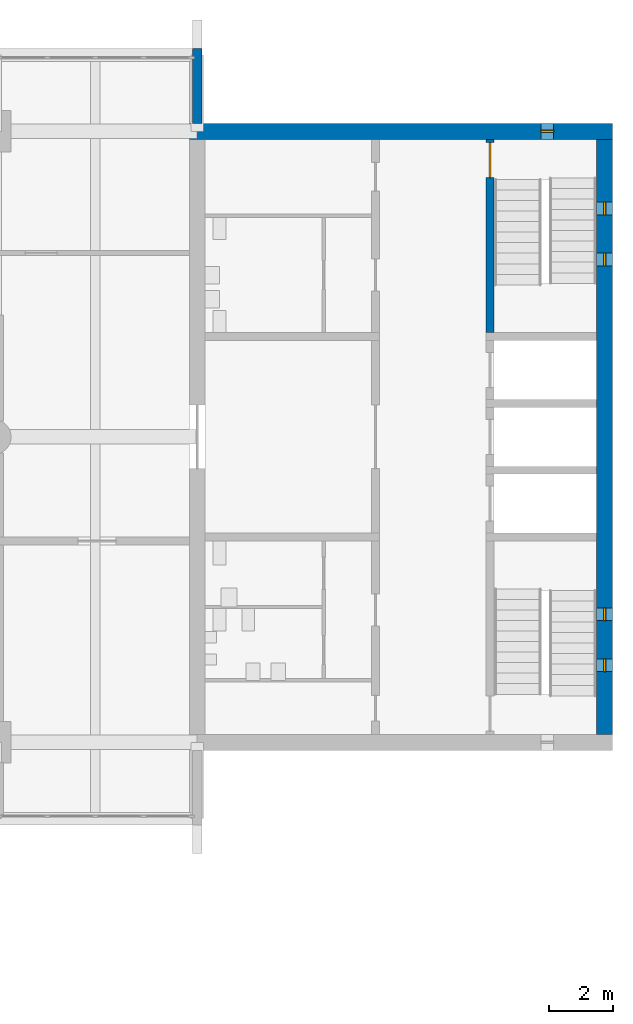
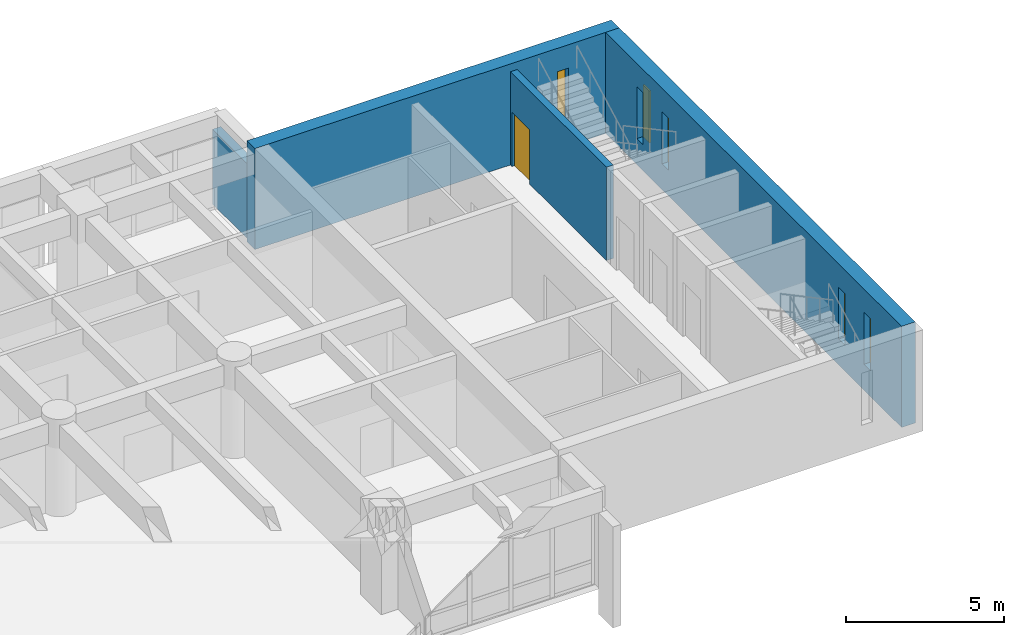
# One storey, part 14 of 19: 5 windows, 4 walls, 1 door, 6 openings.
"""IFC4 building model written with IfcOpenShell, lengths in metres."""

from ifc_helpers import new_model, si_unit, direction, frame, frame_2d, origin, place, context, subcontext, project, spatial, rectangle, extrude, material, layer, layer_set, type_object, element, fill, save


model = new_model("IFC4")

# Units and contexts
model_context = context("Model", 3, precision=1e-05, world=origin(), true_north=direction((0.0, 1.0)))
body_context = subcontext(model_context, "Body", "Model", "MODEL_VIEW")
ifc_project = project(units=[si_unit("LENGTHUNIT", "METRE"), si_unit("AREAUNIT", "SQUARE_METRE"), si_unit("VOLUMEUNIT", "CUBIC_METRE"), si_unit("PLANEANGLEUNIT", "RADIAN"), si_unit("MASSUNIT", "GRAM", prefix="KILO")], contexts=[model_context])

# Site, building, storey
site_placement = place(None, origin())
site = spatial("IfcSite", under=ifc_project, at=site_placement, CompositionType="ELEMENT")
building_placement = place(site_placement, origin())
building = spatial("IfcBuilding", under=site, at=building_placement, Name="Fogon Plaza Fire Station and Headquarters Tower", CompositionType="ELEMENT")
storey_placement = place(building_placement, frame((0.0, 0.0, 17.10009765625)))
storey = spatial("IfcBuildingStorey", under=building, at=storey_placement, Name="L04", CompositionType="ELEMENT", Elevation=17.10009765625)

# Wall, opening, door
ifc_material_1 = material(Name="Concrete C40", Category="concrete")
ifc_layer_1 = layer(ifc_material_1, 0.25)
ifc_layer_set_1 = layer_set([ifc_layer_1], Name="Concrete C40")
wall_type_1 = type_object("IfcWallType", Name="Core Wall RC 250", PredefinedType="SOLIDWALL", material=ifc_layer_set_1)
wall_1_placement = place(storey_placement, frame((73.199951171875, 46.47509765625, 0.0), z_axis=(0.0, 0.0, 1.0), x_axis=(0.0, 1.0, 0.0)))
wall_1 = element("IfcWall", 1, at=wall_1_placement, inside=storey, type_object=wall_type_1, Name="Core B shaft wall", PredefinedType="SOLIDWALL", context=body_context, shape_type="SweptSolid", body=[
    extrude(rectangle(XDim=6.074951171875, YDim=0.25, at=frame_2d((3.03759765625, 0.0))), origin(), (0.0, 0.0, 1.0), 3.599853515625),
])
opening_1_placement = place(wall_1_placement, frame((4.875, 0.0, 0.0)))
opening_1 = element("IfcOpeningElement", 2, at=opening_1_placement, cuts=wall_1, Name="Opening L04-D16", PredefinedType="OPENING", context=body_context, shape_type="SweptSolid", body=[
    extrude(rectangle(XDim=1.10009765625, YDim=2.10009765625, at=frame_2d((0.550048828125, 1.050048828125))), frame((0.0, 0.135009765625, 0.0), z_axis=(0.0, -1.0, 0.0), x_axis=(1.0, 0.0, 0.0)), (0.0, 0.0, 1.0), 0.27001953125),
])
ifc_material_2 = material(Name="Steel Fire Door Leaf", Category="steel")
door_type = type_object("IfcDoorType", Name="Stair Door Single 1100x2100", OperationType="SINGLE_SWING_LEFT", PredefinedType="DOOR", material=ifc_material_2)
door_placement = place(opening_1_placement, frame((1.10009765625, 0.0, 0.0), z_axis=(0.0, 0.0, 1.0), x_axis=(-1.0, 0.0, 0.0)))
door = element("IfcDoor", 3, at=door_placement, inside=storey, type_object=door_type, Name="Stair door ST4", OperationType="SINGLE_SWING_LEFT", OverallHeight=2.10009765625, OverallWidth=1.10009765625, PredefinedType="DOOR", context=body_context, shape_type="SweptSolid", body=[
    extrude(rectangle(XDim=1.10009765625, YDim=2.10009765625, at=frame_2d((0.550048828125, 1.050048828125))), frame((0.0, 0.02490234375, 0.0), z_axis=(0.0, -1.0, 0.0), x_axis=(1.0, 0.0, 0.0)), (0.0, 0.0, 1.0), 0.050048828125),
])
fill(opening_1, door)

# Wall
ifc_material_3 = material(Name="Concrete C40", Category="concrete")
ifc_layer_2 = layer(ifc_material_3, 0.300048828125)
ifc_layer_set_2 = layer_set([ifc_layer_2], Name="Concrete C40")
wall_type_2 = type_object("IfcWallType", Name="Fair-faced RC Return Panel 300", PredefinedType="SOLIDWALL", material=ifc_layer_set_2)
wall_2_placement = place(storey_placement, frame((64.0, 53.050048828125, 0.0), z_axis=(0.0, 0.0, 1.0), x_axis=(0.0, 1.0, 0.0)))
element("IfcWall", 4, at=wall_2_placement, inside=storey, type_object=wall_type_2, Name="Bar end return EN L04", PredefinedType="SOLIDWALL", context=body_context, shape_type="SweptSolid", body=[
    extrude(rectangle(XDim=2.349853515625, YDim=0.300048828125, at=frame_2d((1.1748046875, 0.0))), origin(), (0.0, 0.0, 1.0), 2.8798828125),
])

# Wall, opening, window
ifc_material_4 = material(Name="Concrete C40", Category="concrete")
ifc_layer_3 = layer(ifc_material_4, 0.5)
ifc_layer_set_3 = layer_set([ifc_layer_3], Name="Concrete C40")
wall_type_3 = type_object("IfcWallType", Name="Shear wall 500 SW50", PredefinedType="SHEAR", material=ifc_layer_set_3)
wall_3_placement = place(storey_placement, frame((63.75, 52.800048828125, 0.0), z_axis=(0.0, 0.0, 1.0), x_axis=(1.0, 0.0, 0.0)))
wall_3 = element("IfcWall", 5, at=wall_3_placement, inside=storey, type_object=wall_type_3, Name="wall-coreB-N-L04", PredefinedType="SHEAR", context=body_context, shape_type="SweptSolid", body=[
    extrude(rectangle(XDim=13.300048828125, YDim=0.5, at=frame_2d((6.64990234375, 0.0))), origin(), (0.0, 0.0, 1.0), 3.89990234375),
])
opening_2_placement = place(wall_3_placement, frame((11.050048828125, 0.0, 1.0)))
opening_2 = element("IfcOpeningElement", 6, at=opening_2_placement, cuts=wall_3, Name="Opening WS1", PredefinedType="OPENING", context=body_context, shape_type="SweptSolid", body=[
    extrude(rectangle(XDim=0.39990234375, YDim=2.0, at=frame_2d((0.199951171875, 1.0))), frame((0.0, 0.260009765625, 0.0), z_axis=(0.0, -1.0, 0.0), x_axis=(1.0, 0.0, 0.0)), (0.0, 0.0, 1.0), 0.52001953125),
])
ifc_material_5 = material(Name="Aluminium framed double glazing", Category="aluminium")
window_type = type_object("IfcWindowType", Name="Slit Window WS1 400x2000", PartitioningType="SINGLE_PANEL", PredefinedType="WINDOW", material=ifc_material_5)
window_1_placement = place(opening_2_placement, origin())
window_1 = element("IfcWindow", 7, at=window_1_placement, inside=storey, type_object=window_type, Name="Slit window B6 L04", OverallHeight=2.0, OverallWidth=0.39990234375, PartitioningType="SINGLE_PANEL", PredefinedType="WINDOW", context=body_context, shape_type="SweptSolid", body=[
    extrude(rectangle(XDim=0.39990234375, YDim=2.0, at=frame_2d((0.199951171875, 1.0))), frame((0.0, 0.030029296875, 0.0), z_axis=(0.0, -1.0, 0.0), x_axis=(1.0, 0.0, 0.0)), (0.0, 0.0, 1.0), 0.06005859375),
])
fill(opening_2, window_1)

# Wall, openings, windows
wall_4_placement = place(storey_placement, frame((76.800048828125, 33.85009765625, 0.0), z_axis=(0.0, 0.0, 1.0), x_axis=(0.0, 1.0, 0.0)))
wall_4 = element("IfcWall", 8, at=wall_4_placement, inside=storey, type_object=wall_type_3, Name="wall-coreB-E-L04", PredefinedType="SHEAR", context=body_context, shape_type="SweptSolid", body=[
    extrude(rectangle(XDim=18.699951171875, YDim=0.5, at=frame_2d((9.35009765625, 0.0))), origin(), (0.0, 0.0, 1.0), 3.89990234375),
])
opening_3_placement = place(wall_4_placement, frame((1.97509765625, 0.0, 1.0)))
opening_3 = element("IfcOpeningElement", 9, at=opening_3_placement, cuts=wall_4, Name="Opening WS1", PredefinedType="OPENING", context=body_context, shape_type="SweptSolid", body=[
    extrude(rectangle(XDim=0.39990234375, YDim=2.0, at=frame_2d((0.199951171875, 1.0))), frame((0.0, 0.260009765625, 0.0), z_axis=(0.0, -1.0, 0.0), x_axis=(1.0, 0.0, 0.0)), (0.0, 0.0, 1.0), 0.52001953125),
])
opening_4_placement = place(wall_4_placement, frame((3.574951171875, 0.0, 1.0)))
opening_4 = element("IfcOpeningElement", 10, at=opening_4_placement, cuts=wall_4, Name="Opening WS1", PredefinedType="OPENING", context=body_context, shape_type="SweptSolid", body=[
    extrude(rectangle(XDim=0.39990234375, YDim=2.0, at=frame_2d((0.199951171875, 1.0))), frame((0.0, 0.260009765625, 0.0), z_axis=(0.0, -1.0, 0.0), x_axis=(1.0, 0.0, 0.0)), (0.0, 0.0, 1.0), 0.52001953125),
])
opening_5_placement = place(wall_4_placement, frame((14.72509765625, 0.0, 1.0)))
opening_5 = element("IfcOpeningElement", 11, at=opening_5_placement, cuts=wall_4, Name="Opening WS1", PredefinedType="OPENING", context=body_context, shape_type="SweptSolid", body=[
    extrude(rectangle(XDim=0.39990234375, YDim=2.0, at=frame_2d((0.199951171875, 1.0))), frame((0.0, 0.260009765625, 0.0), z_axis=(0.0, -1.0, 0.0), x_axis=(1.0, 0.0, 0.0)), (0.0, 0.0, 1.0), 0.52001953125),
])
opening_6_placement = place(wall_4_placement, frame((16.324951171875, 0.0, 1.0)))
opening_6 = element("IfcOpeningElement", 12, at=opening_6_placement, cuts=wall_4, Name="Opening WS1", PredefinedType="OPENING", context=body_context, shape_type="SweptSolid", body=[
    extrude(rectangle(XDim=0.39990234375, YDim=2.0, at=frame_2d((0.199951171875, 1.0))), frame((0.0, 0.260009765625, 0.0), z_axis=(0.0, -1.0, 0.0), x_axis=(1.0, 0.0, 0.0)), (0.0, 0.0, 1.0), 0.52001953125),
])
window_2_placement = place(opening_3_placement, origin())
window_2 = element("IfcWindow", 13, at=window_2_placement, inside=storey, type_object=window_type, Name="Slit window B1 L04", OverallHeight=2.0, OverallWidth=0.39990234375, PartitioningType="SINGLE_PANEL", PredefinedType="WINDOW", context=body_context, shape_type="SweptSolid", body=[
    extrude(rectangle(XDim=0.39990234375, YDim=2.0, at=frame_2d((0.199951171875, 1.0))), frame((0.0, 0.030029296875, 0.0), z_axis=(0.0, -1.0, 0.0), x_axis=(1.0, 0.0, 0.0)), (0.0, 0.0, 1.0), 0.06005859375),
])
fill(opening_3, window_2)
window_3_placement = place(opening_4_placement, origin())
window_3 = element("IfcWindow", 14, at=window_3_placement, inside=storey, type_object=window_type, Name="Slit window B2 L04", OverallHeight=2.0, OverallWidth=0.39990234375, PartitioningType="SINGLE_PANEL", PredefinedType="WINDOW", context=body_context, shape_type="SweptSolid", body=[
    extrude(rectangle(XDim=0.39990234375, YDim=2.0, at=frame_2d((0.199951171875, 1.0))), frame((0.0, 0.030029296875, 0.0), z_axis=(0.0, -1.0, 0.0), x_axis=(1.0, 0.0, 0.0)), (0.0, 0.0, 1.0), 0.06005859375),
])
fill(opening_4, window_3)
window_4_placement = place(opening_5_placement, origin())
window_4 = element("IfcWindow", 15, at=window_4_placement, inside=storey, type_object=window_type, Name="Slit window B3 L04", OverallHeight=2.0, OverallWidth=0.39990234375, PartitioningType="SINGLE_PANEL", PredefinedType="WINDOW", context=body_context, shape_type="SweptSolid", body=[
    extrude(rectangle(XDim=0.39990234375, YDim=2.0, at=frame_2d((0.199951171875, 1.0))), frame((0.0, 0.030029296875, 0.0), z_axis=(0.0, -1.0, 0.0), x_axis=(1.0, 0.0, 0.0)), (0.0, 0.0, 1.0), 0.06005859375),
])
fill(opening_5, window_4)
window_5_placement = place(opening_6_placement, origin())
window_5 = element("IfcWindow", 16, at=window_5_placement, inside=storey, type_object=window_type, Name="Slit window B4 L04", OverallHeight=2.0, OverallWidth=0.39990234375, PartitioningType="SINGLE_PANEL", PredefinedType="WINDOW", context=body_context, shape_type="SweptSolid", body=[
    extrude(rectangle(XDim=0.39990234375, YDim=2.0, at=frame_2d((0.199951171875, 1.0))), frame((0.0, 0.030029296875, 0.0), z_axis=(0.0, -1.0, 0.0), x_axis=(1.0, 0.0, 0.0)), (0.0, 0.0, 1.0), 0.06005859375),
])
fill(opening_6, window_5)

save(model, "model.ifc")
